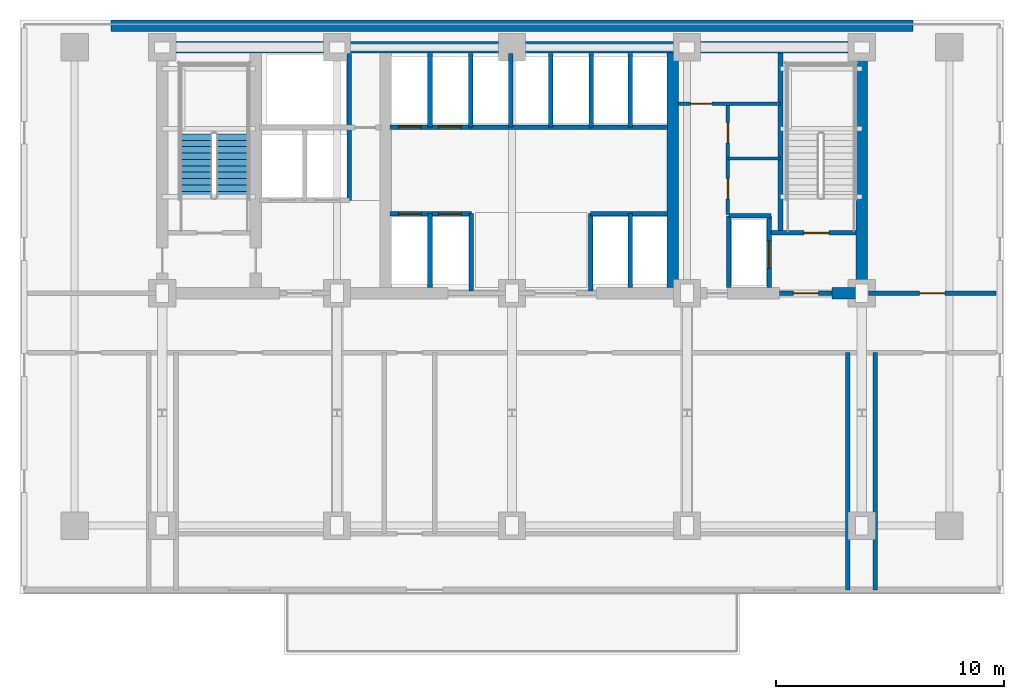
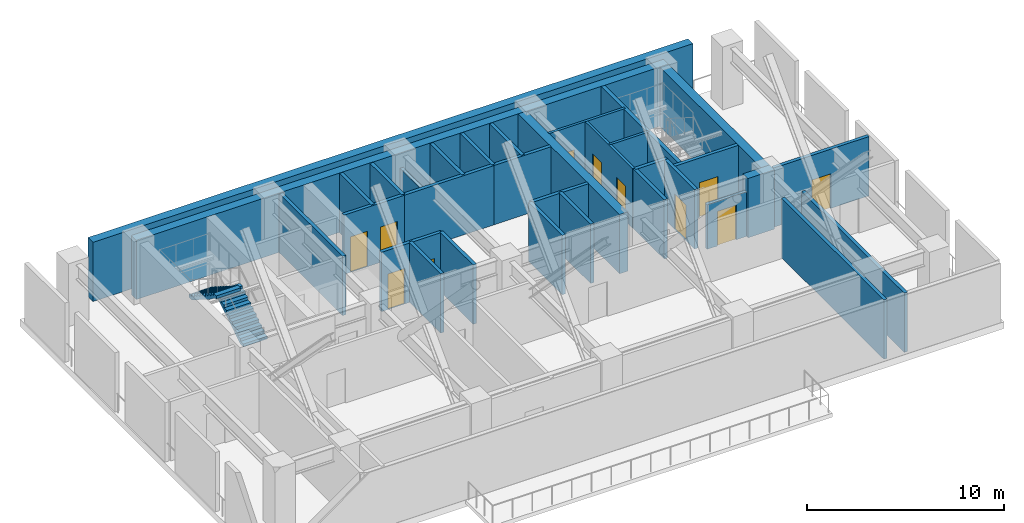
# One storey, part 3 of 8: 33 walls, 11 doors, 2 stair flights, 11 openings, 1 element without a shape of its own.
"""IFC4 building model written with IfcOpenShell, lengths in metres."""

import ifcopenshell
import ifcopenshell.guid

model = None  # the IFC model being written
_history = None  # IfcOwnerHistory: only IFC2X3 demands one
_inside = {}  # id of a spatial element -> (the spatial element, [elements in it])
_under = {}  # id of a project, library or spatial element -> (it, [spatial elements below it])
_declared = {}  # id of a project -> (the project, [libraries it declares])
_typed = {}  # id of a type object -> (the type object, [elements of that type])
_made_of = {}  # id of a material, layer set ... -> (it, [elements and type objects made of it])


def new_model(schema):
    """Start an empty IFC model of exactly this schema.

    Asked for "IFC4X3", IfcOpenShell would pick the latest addendum, in which some entities
    have other attributes; the version numbers below select the first issue.
    IFC2X3 requires an IfcOwnerHistory on every rooted entity: one is made here for all.
    """
    global model, _history
    if schema == "IFC4X3":
        model = ifcopenshell.file(schema_version=(4, 3, 0, 0))
    else:
        model = ifcopenshell.file(schema=schema)
    _inside.clear()
    _under.clear()
    _declared.clear()
    _typed.clear()
    _made_of.clear()
    _history = None
    if model.schema == "IFC2X3":
        org = make("IfcOrganization", Name="unknown")
        user = make(
            "IfcPersonAndOrganization",
            ThePerson=make("IfcPerson", FamilyName="unknown"),
            TheOrganization=org,
        )
        app = make(
            "IfcApplication",
            ApplicationDeveloper=org,
            Version="unknown",
            ApplicationFullName="unknown",
            ApplicationIdentifier="unknown",
        )
        _history = make(
            "IfcOwnerHistory",
            OwningUser=user,
            OwningApplication=app,
            ChangeAction="ADDED",
            CreationDate=0,
        )
    return model


def make(cls, **values):
    """One entity of the class cls with the attributes given. An attribute that is None is left unset."""
    return model.create_entity(
        cls, **{name: value for name, value in values.items() if value is not None}
    )


def rooted(cls, **values):
    """An entity with a GlobalId (a new one), such as an element, a storey or a relation."""
    return make(cls, GlobalId=ifcopenshell.guid.new(), OwnerHistory=_history, **values)


def si_unit(unit_type, name, prefix=None):
    """IfcSIUnit, for example si_unit("LENGTHUNIT", "METRE", prefix="MILLI")."""
    return make("IfcSIUnit", UnitType=unit_type, Prefix=prefix, Name=name)


def assignment(units):
    """IfcUnitAssignment: the units of a project."""
    return None if units is None else make("IfcUnitAssignment", Units=units)


def point(xyz):
    """IfcCartesianPoint."""
    return None if xyz is None else make("IfcCartesianPoint", Coordinates=xyz)


def direction(xyz):
    """IfcDirection."""
    return None if xyz is None else make("IfcDirection", DirectionRatios=xyz)


def frame(location, z_axis=None, x_axis=None):
    """IfcAxis2Placement3D, a coordinate frame: its origin and axes. An axis left out is left unset."""
    return make(
        "IfcAxis2Placement3D",
        Location=point(location),
        Axis=direction(z_axis),
        RefDirection=direction(x_axis),
    )


def frame_2d(location, x_axis=None):
    """IfcAxis2Placement2D, a coordinate frame in the plane: its origin and x axis."""
    return make(
        "IfcAxis2Placement2D", Location=point(location), RefDirection=direction(x_axis)
    )


def origin():
    """The frame at (0, 0, 0) with its axes left unset."""
    return frame((0.0, 0.0, 0.0))


def place(relative_to, where):
    """IfcLocalPlacement: puts the frame where relative to a parent placement (None: the world)."""
    return make(
        "IfcLocalPlacement", PlacementRelTo=relative_to, RelativePlacement=where
    )


def context(
    kind, dimensions, precision=None, world=None, true_north=None, identifier=None
):
    """IfcGeometricRepresentationContext, for example the 3D "Model" context."""
    return make(
        "IfcGeometricRepresentationContext",
        ContextIdentifier=identifier,
        ContextType=kind,
        CoordinateSpaceDimension=dimensions,
        Precision=precision,
        WorldCoordinateSystem=world,
        TrueNorth=true_north,
    )


def subcontext(parent, identifier, kind, view, scale=None):
    """IfcGeometricRepresentationSubContext, for example "Body" below "Model"."""
    return make(
        "IfcGeometricRepresentationSubContext",
        ContextIdentifier=identifier,
        ContextType=kind,
        ParentContext=parent,
        TargetScale=scale,
        TargetView=view,
    )


def project(units=None, contexts=None):
    """IfcProject with its units and contexts."""
    return rooted(
        "IfcProject",
        Name="project",
        RepresentationContexts=contexts,
        UnitsInContext=assignment(units),
    )


def spatial(cls, under=None, at=None, **own):
    """A site, building, storey or space (cls), placed at a placement, below another one or the project."""
    s = rooted(cls, ObjectPlacement=at, **own)
    if under is not None:
        _under.setdefault(under.id(), (under, []))[1].append(s)
    return s


def polyline(points):
    """IfcPolyline through the points."""
    return make("IfcPolyline", Points=[point(p) for p in points])


def profile(cls, at=None, kind="AREA", **sizes):
    """A parametric profile (cls). Its sizes go by their IFC names, for example OverallWidth=200.0."""
    return make(cls, ProfileType=kind, Position=at, **sizes)


def rectangle(**sizes):
    """IfcRectangleProfileDef."""
    return profile("IfcRectangleProfileDef", **sizes)


def outline(outer, holes=None, kind="AREA"):
    """IfcArbitraryClosedProfileDef: a profile drawn as a closed curve; with holes, ...WithVoids."""
    if holes is None:
        return make("IfcArbitraryClosedProfileDef", ProfileType=kind, OuterCurve=outer)
    return make(
        "IfcArbitraryProfileDefWithVoids",
        ProfileType=kind,
        OuterCurve=outer,
        InnerCurves=holes,
    )


def extrude(swept, where, along, depth):
    """IfcExtrudedAreaSolid: the profile swept, set in the frame where, extruded along a direction by depth."""
    return make(
        "IfcExtrudedAreaSolid",
        SweptArea=swept,
        Position=where,
        ExtrudedDirection=direction(along),
        Depth=depth,
    )


def shape(context_of_items, identifier, shape_type, items):
    """IfcShapeRepresentation: the items that make up one representation, for example the "Body"."""
    return make(
        "IfcShapeRepresentation",
        ContextOfItems=context_of_items,
        RepresentationIdentifier=identifier,
        RepresentationType=shape_type,
        Items=items,
    )


def material(Name=None, Category=None):
    """IfcMaterial."""
    return make("IfcMaterial", Name=Name, Category=Category)


def layer(
    of_material, thickness, ventilated=None, Name=None, Category=None, Priority=None
):
    """IfcMaterialLayer: one layer of a wall or slab, of a material (None: an air gap)."""
    return make(
        "IfcMaterialLayer",
        Material=of_material,
        LayerThickness=thickness,
        IsVentilated=ventilated,
        Name=Name,
        Category=Category,
        Priority=Priority,
    )


def layer_set(layers, Name=None):
    """IfcMaterialLayerSet."""
    return make("IfcMaterialLayerSet", MaterialLayers=layers, LayerSetName=Name)


def made_of(thing, what):
    """Note that an element or type object is made of a material, layer set ...; save() writes the relation."""
    if what is not None:
        _made_of.setdefault(what.id(), (what, []))[1].append(thing)
    return thing


def type_object(cls, material=None, **own):
    """A type object (cls), such as IfcWallType, which elements share."""
    return made_of(rooted(cls, **own), material)


def element(
    cls,
    number,
    at=None,
    inside=None,
    cuts=None,
    type_object=None,
    material=None,
    context=None,
    identifier="Body",
    shape_type=None,
    held_by="IfcProductDefinitionShape",
    body=None,
    shapes=None,
    **own,
):
    """One element of the class cls, such as IfcWall. Its Tag is "e" and its number.

    at: its placement. inside: the storey or other place that contains it. cuts: it is an
    opening in that element (IfcRelVoidsElement). A single representation is given by context,
    identifier, shape_type and body (its items); several are given by shapes. held_by: the class
    of the entity that holds the representations. save() writes the other relations.
    """
    e = rooted(cls, Tag="e%d" % number, ObjectPlacement=at, **own)
    if body is not None:
        shapes = [shape(context, identifier, shape_type, body)]
    if shapes is not None:
        e.Representation = make(held_by, Representations=shapes)
    if inside is not None:
        _inside.setdefault(inside.id(), (inside, []))[1].append(e)
    if cuts is not None:
        rooted(
            "IfcRelVoidsElement", RelatingBuildingElement=cuts, RelatedOpeningElement=e
        )
    if type_object is not None:
        _typed.setdefault(type_object.id(), (type_object, []))[1].append(e)
    return made_of(e, material)


def fill(opening, filler):
    """IfcRelFillsElement: the door or window that sits in an opening."""
    return rooted(
        "IfcRelFillsElement",
        RelatingOpeningElement=opening,
        RelatedBuildingElement=filler,
    )


def aggregate(whole, parts):
    """IfcRelAggregates: a whole, such as a stair, and the parts it consists of."""
    return rooted("IfcRelAggregates", RelatingObject=whole, RelatedObjects=parts)


def save(model, path):
    """Write the relations noted so far, then the file.

    IfcRelAggregates (storeys below a building ...), IfcRelContainedInSpatialStructure (elements
    in a storey), IfcRelDefinesByType, IfcRelAssociatesMaterial and IfcRelDeclares: one each for
    every whole, place, type object, material and project.
    """
    for whole, parts in _under.values():
        aggregate(whole, parts)
    for where, things in _inside.values():
        rooted(
            "IfcRelContainedInSpatialStructure",
            RelatedElements=things,
            RelatingStructure=where,
        )
    for kind, things in _typed.values():
        rooted("IfcRelDefinesByType", RelatedObjects=things, RelatingType=kind)
    for what, things in _made_of.values():
        rooted("IfcRelAssociatesMaterial", RelatedObjects=things, RelatingMaterial=what)
    for by, libraries in _declared.values():
        rooted("IfcRelDeclares", RelatingContext=by, RelatedDefinitions=libraries)
    model.write(path)


model = new_model("IFC4")

# Units and contexts
model_context = context("Model", 3, precision=1e-05, world=origin(), true_north=direction((0.0, 1.0)))
body_context = subcontext(model_context, "Body", "Model", "MODEL_VIEW")
ifc_project = project(units=[si_unit("LENGTHUNIT", "METRE"), si_unit("AREAUNIT", "SQUARE_METRE"), si_unit("VOLUMEUNIT", "CUBIC_METRE"), si_unit("PLANEANGLEUNIT", "RADIAN"), si_unit("MASSUNIT", "GRAM", prefix="KILO")], contexts=[model_context])

# Site, building, storey
site_placement = place(None, origin())
site = spatial("IfcSite", under=ifc_project, at=site_placement, CompositionType="ELEMENT")
building_placement = place(site_placement, origin())
building = spatial("IfcBuilding", under=site, at=building_placement, Name="Yelkora Congress Tower", CompositionType="ELEMENT")
storey_placement = place(building_placement, frame((0.0, 0.0, 78.0)))
storey = spatial("IfcBuildingStorey", under=building, at=storey_placement, Name="L20", CompositionType="ELEMENT", Elevation=78.0)

# Walls
ifc_material_1 = material(Name="Concrete C60/75", Category="concrete")
ifc_layer_1 = layer(ifc_material_1, 0.5)
ifc_layer_set_1 = layer_set([ifc_layer_1], Name="Concrete C60/75")
wall_type_1 = type_object("IfcWallType", Name="WALL-CORE-EXT-500", PredefinedType="SHEAR", material=ifc_layer_set_1)
wall_1_placement = place(storey_placement, frame((20.800048828125, 47.14990234375, 0.0), z_axis=(0.0, 0.0, 1.0), x_axis=(1.0, 0.0, 0.0)))
element("IfcWall", 1, at=wall_1_placement, inside=storey, type_object=wall_type_1, Name="L20 Exterior North Core Shear Wall", PredefinedType="SHEAR", context=body_context, shape_type="SweptSolid", body=[
    extrude(rectangle(XDim=35.199951171875, YDim=0.5, at=frame_2d((17.60009765625, 0.0))), origin(), (0.0, 0.0, 1.0), 3.679931640625),
])
ifc_material_2 = material(Name="Concrete C50/60", Category="concrete")
ifc_layer_2 = layer(ifc_material_2, 0.219970703125)
ifc_layer_set_2 = layer_set([ifc_layer_2], Name="Concrete C50/60")
wall_type_2 = type_object("IfcWallType", Name="WALL-CORE-INT-220", PredefinedType="SHEAR", material=ifc_layer_set_2)
wall_2_placement = place(storey_placement, frame((50.179931640625, 38.050048828125, 0.0), z_axis=(0.0, 0.0, 1.0), x_axis=(0.0, 1.0, 0.0)))
element("IfcWall", 2, at=wall_2_placement, inside=storey, type_object=wall_type_2, Name="L20 ST02 West Stair Shear Wall", PredefinedType="SHEAR", context=body_context, shape_type="SweptSolid", body=[
    extrude(rectangle(XDim=7.89990234375, YDim=0.219970703125, at=frame_2d((3.949951171875, 0.0))), origin(), (0.0, 0.0, 1.0), 3.679931640625),
])
ifc_layer_3 = layer(ifc_material_1, 0.5)
ifc_layer_set_3 = layer_set([ifc_layer_3], Name="Concrete C60/75")
wall_type_3 = type_object("IfcWallType", Name="WALL-CORE-INT-500", PredefinedType="SHEAR", material=ifc_layer_set_3)
wall_3_placement = place(storey_placement, frame((22.7900390625, 46.199951171875, 0.0), z_axis=(0.0, 0.0, 1.0), x_axis=(1.0, 0.0, 0.0)))
element("IfcWall", 3, at=wall_3_placement, inside=storey, type_object=wall_type_3, Name="L20 Rear Core North Shear Wall", PredefinedType="SHEAR", context=body_context, shape_type="SweptSolid", body=[
    extrude(rectangle(XDim=31.219970703125, YDim=0.5, at=frame_2d((15.60986328125, 0.0))), origin(), (0.0, 0.0, 1.0), 3.679931640625),
])
wall_4_placement = place(storey_placement, frame((52.449951171875, 35.39990234375, 0.0), z_axis=(0.0, 0.0, 1.0), x_axis=(1.0, 0.0, 0.0)))
element("IfcWall", 4, at=wall_4_placement, inside=storey, type_object=wall_type_3, Name="L20 Rear Core South-East Shear Wall B", PredefinedType="SHEAR", context=body_context, shape_type="SweptSolid", body=[
    extrude(rectangle(XDim=1.56005859375, YDim=0.5, at=frame_2d((0.780029296875, 0.0))), origin(), (0.0, 0.0, 1.0), 3.679931640625),
])
for number, where, z_axis, x_axis, name in (
    (5, (45.449951171875, 35.64990234375, 0.0), (0.0, 0.0, 1.0), (0.0, 1.0, 0.0), "L20 Rear Core Cross Shear Wall C3"),
    (6, (53.760009765625, 35.64990234375, 0.0), (0.0, 0.0, 1.0), (0.0, 1.0, 0.0), "L20 Rear Core Cross Shear Wall E"),
):
    element("IfcWall", number, at=place(storey_placement, frame(where, z_axis=z_axis, x_axis=x_axis)), inside=storey, type_object=wall_type_3, Name=name, PredefinedType="SHEAR", context=body_context, shape_type="SweptSolid", body=[
        extrude(rectangle(XDim=10.300048828125, YDim=0.5, at=frame_2d((5.14990234375, 0.0))), origin(), (0.0, 0.0, 1.0), 3.679931640625),
    ])

# Wall, opening, door
ifc_material_3 = material(Name="Acoustic metal-stud gypsum partition", Category="gypsum")
ifc_layer_4 = layer(ifc_material_3, 0.14990234375)
ifc_layer_set_4 = layer_set([ifc_layer_4], Name="Acoustic metal-stud gypsum partition")
wall_type_4 = type_object("IfcWallType", Name="WALL-INT-150-NR", PredefinedType="PARTITIONING", material=ifc_layer_set_4)
wall_5_placement = place(storey_placement, frame((45.679931640625, 43.719970703125, 0.0), z_axis=(0.0, 0.0, 1.0), x_axis=(1.0, 0.0, 0.0)))
wall_5 = element("IfcWall", 7, at=wall_5_placement, inside=storey, type_object=wall_type_4, Name="L20 Partition Wall 28", PredefinedType="PARTITIONING", context=body_context, shape_type="SweptSolid", body=[
    extrude(rectangle(XDim=4.5, YDim=0.14990234375, at=frame_2d((2.25, 0.0))), origin(), (0.0, 0.0, 1.0), 3.679931640625),
])
opening_1_placement = place(wall_5_placement, frame((0.550048828125, 0.0, 0.0)))
opening_1 = element("IfcOpeningElement", 8, at=opening_1_placement, cuts=wall_5, Name="Opening DR-095N", PredefinedType="OPENING", context=body_context, shape_type="SweptSolid", body=[
    extrude(rectangle(XDim=0.949951171875, YDim=2.14990234375, at=frame_2d((0.47509765625, 1.074951171875))), frame((0.0, 0.0849609375, 0.0), z_axis=(0.0, -1.0, 0.0), x_axis=(1.0, 0.0, 0.0)), (0.0, 0.0, 1.0), 0.169921875),
])
ifc_material_4 = material(Name="Acoustic laminated timber office door", Category="wood")
door_type_1 = type_object("IfcDoorType", Name="DOOR-INT-950", OperationType="NOTDEFINED", PredefinedType="DOOR", material=ifc_material_4)
door_1_placement = place(opening_1_placement, origin())
door_1 = element("IfcDoor", 9, at=door_1_placement, inside=storey, type_object=door_type_1, Name="L20 Accessible WC Door", OperationType="SINGLE_SWING_RIGHT", OverallHeight=2.14990234375, OverallWidth=0.949951171875, PredefinedType="DOOR", context=body_context, shape_type="SweptSolid", body=[
    extrude(rectangle(XDim=0.949951171875, YDim=2.14990234375, at=frame_2d((0.47509765625, 1.074951171875))), frame((0.0, 0.02490234375, 0.0), z_axis=(0.0, -1.0, 0.0), x_axis=(1.0, 0.0, 0.0)), (0.0, 0.0, 1.0), 0.050048828125),
])
fill(opening_1, door_1)

# Wall
wall_6_placement = place(storey_placement, frame((47.8798828125, 41.320068359375, 0.0), z_axis=(0.0, 0.0, 1.0), x_axis=(1.0, 0.0, 0.0)))
element("IfcWall", 10, at=wall_6_placement, inside=storey, type_object=wall_type_4, Name="L20 Partition Wall 29", PredefinedType="PARTITIONING", context=body_context, shape_type="SweptSolid", body=[
    extrude(rectangle(XDim=2.300048828125, YDim=0.14990234375, at=frame_2d((1.14990234375, 0.0))), origin(), (0.0, 0.0, 1.0), 3.679931640625),
])

# Wall, openings, doors
wall_7_placement = place(storey_placement, frame((47.8798828125, 38.85009765625, 0.0), z_axis=(0.0, 0.0, 1.0), x_axis=(0.0, 1.0, 0.0)))
wall_7 = element("IfcWall", 11, at=wall_7_placement, inside=storey, type_object=wall_type_4, Name="L20 Partition Wall 30", PredefinedType="PARTITIONING", context=body_context, shape_type="SweptSolid", body=[
    extrude(rectangle(XDim=4.869873046875, YDim=0.14990234375, at=frame_2d((2.43505859375, 0.0))), origin(), (0.0, 0.0, 1.0), 3.679931640625),
])
opening_2_placement = place(wall_7_placement, frame((0.699951171875, 0.0, 0.0)))
opening_2 = element("IfcOpeningElement", 12, at=opening_2_placement, cuts=wall_7, Name="Opening DR-090N", PredefinedType="OPENING", context=body_context, shape_type="SweptSolid", body=[
    extrude(rectangle(XDim=0.89990234375, YDim=2.14990234375, at=frame_2d((0.449951171875, 1.074951171875))), frame((0.0, 0.0849609375, 0.0), z_axis=(0.0, -1.0, 0.0), x_axis=(1.0, 0.0, 0.0)), (0.0, 0.0, 1.0), 0.169921875),
])
opening_3_placement = place(wall_7_placement, frame((3.14990234375, 0.0, 0.0)))
opening_3 = element("IfcOpeningElement", 13, at=opening_3_placement, cuts=wall_7, Name="Opening DR-090N", PredefinedType="OPENING", context=body_context, shape_type="SweptSolid", body=[
    extrude(rectangle(XDim=0.89990234375, YDim=2.14990234375, at=frame_2d((0.449951171875, 1.074951171875))), frame((0.0, 0.0849609375, 0.0), z_axis=(0.0, -1.0, 0.0), x_axis=(1.0, 0.0, 0.0)), (0.0, 0.0, 1.0), 0.169921875),
])
ifc_material_5 = material(Name="Moisture-resistant laminate door leaf", Category="wood")
door_type_2 = type_object("IfcDoorType", Name="DOOR-INT-900", OperationType="NOTDEFINED", PredefinedType="DOOR", material=ifc_material_5)
door_2_placement = place(opening_2_placement, origin())
door_2 = element("IfcDoor", 14, at=door_2_placement, inside=storey, type_object=door_type_2, Name="L20 Male WC Door", OperationType="SINGLE_SWING_LEFT", OverallHeight=2.14990234375, OverallWidth=0.89990234375, PredefinedType="DOOR", context=body_context, shape_type="SweptSolid", body=[
    extrude(rectangle(XDim=0.89990234375, YDim=2.14990234375, at=frame_2d((0.449951171875, 1.074951171875))), frame((0.0, 0.02490234375, 0.0), z_axis=(0.0, -1.0, 0.0), x_axis=(1.0, 0.0, 0.0)), (0.0, 0.0, 1.0), 0.050048828125),
])
fill(opening_2, door_2)
door_3_placement = place(opening_3_placement, origin())
door_3 = element("IfcDoor", 15, at=door_3_placement, inside=storey, type_object=door_type_2, Name="L20 Female WC Door", OperationType="SINGLE_SWING_RIGHT", OverallHeight=2.14990234375, OverallWidth=0.89990234375, PredefinedType="DOOR", context=body_context, shape_type="SweptSolid", body=[
    extrude(rectangle(XDim=0.89990234375, YDim=2.14990234375, at=frame_2d((0.449951171875, 1.074951171875))), frame((0.0, 0.02490234375, 0.0), z_axis=(0.0, -1.0, 0.0), x_axis=(1.0, 0.0, 0.0)), (0.0, 0.0, 1.0), 0.050048828125),
])
fill(opening_3, door_3)

# Walls
ifc_material_6 = material(Name="Autoclaved aerated concrete blockwork", Category="masonry")
ifc_layer_5 = layer(ifc_material_6, 0.199951171875)
ifc_layer_set_5 = layer_set([ifc_layer_5], Name="Autoclaved aerated concrete blockwork")
wall_type_5 = type_object("IfcWallType", Name="WALL-INT-200-R120", PredefinedType="PARTITIONING", material=ifc_layer_set_5)
wall_8_placement = place(storey_placement, frame((31.260009765625, 39.47998046875, 0.0), z_axis=(0.0, 0.0, 1.0), x_axis=(0.0, 1.0, 0.0)))
element("IfcWall", 16, at=wall_8_placement, inside=storey, type_object=wall_type_5, Name="L20 Partition Wall 5", PredefinedType="PARTITIONING", context=body_context, shape_type="SweptSolid", body=[
    extrude(rectangle(XDim=6.43994140625, YDim=0.199951171875, at=frame_2d((3.219970703125, 0.0))), origin(), (0.0, 0.0, 1.0), 3.679931640625),
])
wall_9_placement = place(storey_placement, frame((36.60009765625, 42.699951171875, 0.0), z_axis=(0.0, 0.0, 1.0), x_axis=(1.0, 0.0, 0.0)))
element("IfcWall", 17, at=wall_9_placement, inside=storey, type_object=wall_type_5, Name="L20 Partition Wall 8", PredefinedType="PARTITIONING", context=body_context, shape_type="SweptSolid", body=[
    extrude(rectangle(XDim=5.25, YDim=0.199951171875, at=frame_2d((2.625, 0.0))), origin(), (0.0, 0.0, 1.0), 3.679931640625),
])
wall_10_placement = place(storey_placement, frame((38.35009765625, 42.699951171875, 0.0), z_axis=(0.0, 0.0, 1.0), x_axis=(0.0, 1.0, 0.0)))
element("IfcWall", 18, at=wall_10_placement, inside=storey, type_object=wall_type_5, Name="L20 Partition Wall 9", PredefinedType="PARTITIONING", context=body_context, shape_type="SweptSolid", body=[
    extrude(rectangle(XDim=3.219970703125, YDim=0.199951171875, at=frame_2d((1.60986328125, 0.0))), origin(), (0.0, 0.0, 1.0), 2.764892578125),
])
wall_11_placement = place(storey_placement, frame((40.10009765625, 42.699951171875, 0.0), z_axis=(0.0, 0.0, 1.0), x_axis=(0.0, 1.0, 0.0)))
element("IfcWall", 19, at=wall_11_placement, inside=storey, type_object=wall_type_5, Name="L20 Partition Wall 10", PredefinedType="PARTITIONING", context=body_context, shape_type="SweptSolid", body=[
    extrude(rectangle(XDim=3.219970703125, YDim=0.199951171875, at=frame_2d((1.60986328125, 0.0))), origin(), (0.0, 0.0, 1.0), 3.679931640625),
])

# Wall, openings, doors
wall_12_placement = place(storey_placement, frame((33.050048828125, 38.89990234375, 0.0), z_axis=(0.0, 0.0, 1.0), x_axis=(1.0, 0.0, 0.0)))
wall_12 = element("IfcWall", 20, at=wall_12_placement, inside=storey, type_object=wall_type_5, Name="L20 Partition Wall 11", PredefinedType="PARTITIONING", context=body_context, shape_type="SweptSolid", body=[
    extrude(rectangle(XDim=3.570068359375, YDim=0.199951171875, at=frame_2d((1.78515625, 0.0))), origin(), (0.0, 0.0, 1.0), 3.679931640625),
])
opening_4_placement = place(wall_12_placement, frame((0.375, 0.0, 0.0)))
opening_4 = element("IfcOpeningElement", 21, at=opening_4_placement, cuts=wall_12, Name="Opening LD-PS10", PredefinedType="OPENING", context=body_context, shape_type="SweptSolid", body=[
    extrude(rectangle(XDim=1.0, YDim=2.199951171875, at=frame_2d((0.5, 1.10009765625))), frame((0.0, 0.10986328125, 0.0), z_axis=(0.0, -1.0, 0.0), x_axis=(1.0, 0.0, 0.0)), (0.0, 0.0, 1.0), 0.219970703125),
])
opening_5_placement = place(wall_12_placement, frame((2.125, 0.0, 0.0)))
opening_5 = element("IfcOpeningElement", 22, at=opening_5_placement, cuts=wall_12, Name="Opening LD-PS10", PredefinedType="OPENING", context=body_context, shape_type="SweptSolid", body=[
    extrude(rectangle(XDim=1.0, YDim=2.199951171875, at=frame_2d((0.5, 1.10009765625))), frame((0.0, 0.10986328125, 0.0), z_axis=(0.0, -1.0, 0.0), x_axis=(1.0, 0.0, 0.0)), (0.0, 0.0, 1.0), 0.219970703125),
])
ifc_material_7 = material(Name="Champagne stainless steel landing door", Category="steel")
door_type_3 = type_object("IfcDoorType", Name="DOOR-LIFT-PAS-1000", OperationType="DOUBLE_DOOR_SLIDING", PredefinedType="DOOR", material=ifc_material_7)
door_4_placement = place(opening_4_placement, origin())
door_4 = element("IfcDoor", 23, at=door_4_placement, inside=storey, type_object=door_type_3, Name="Lift Landing Door LF-P1 L20", OperationType="DOUBLE_DOOR_SLIDING", OverallHeight=2.199951171875, OverallWidth=1.0, PredefinedType="DOOR", context=body_context, shape_type="SweptSolid", body=[
    extrude(rectangle(XDim=1.0, YDim=2.199951171875, at=frame_2d((0.5, 1.10009765625))), frame((0.0, 0.02490234375, 0.0), z_axis=(0.0, -1.0, 0.0), x_axis=(1.0, 0.0, 0.0)), (0.0, 0.0, 1.0), 0.050048828125),
])
fill(opening_4, door_4)
door_5_placement = place(opening_5_placement, origin())
door_5 = element("IfcDoor", 24, at=door_5_placement, inside=storey, type_object=door_type_3, Name="Lift Landing Door LF-P2 L20", OperationType="DOUBLE_DOOR_SLIDING", OverallHeight=2.199951171875, OverallWidth=1.0, PredefinedType="DOOR", context=body_context, shape_type="SweptSolid", body=[
    extrude(rectangle(XDim=1.0, YDim=2.199951171875, at=frame_2d((0.5, 1.10009765625))), frame((0.0, 0.02490234375, 0.0), z_axis=(0.0, -1.0, 0.0), x_axis=(1.0, 0.0, 0.0)), (0.0, 0.0, 1.0), 0.050048828125),
])
fill(opening_5, door_5)

wall_13_placement = place(storey_placement, frame((33.050048828125, 42.699951171875, 0.0), z_axis=(0.0, 0.0, 1.0), x_axis=(1.0, 0.0, 0.0)))
wall_13 = element("IfcWall", 25, at=wall_13_placement, inside=storey, type_object=wall_type_5, Name="L20 Partition Wall 12", PredefinedType="PARTITIONING", context=body_context, shape_type="SweptSolid", body=[
    extrude(rectangle(XDim=3.570068359375, YDim=0.199951171875, at=frame_2d((1.78515625, 0.0))), origin(), (0.0, 0.0, 1.0), 3.679931640625),
])
opening_6_placement = place(wall_13_placement, frame((0.375, 0.0, 0.0)))
opening_6 = element("IfcOpeningElement", 26, at=opening_6_placement, cuts=wall_13, Name="Opening LD-PS10", PredefinedType="OPENING", context=body_context, shape_type="SweptSolid", body=[
    extrude(rectangle(XDim=1.0, YDim=2.199951171875, at=frame_2d((0.5, 1.10009765625))), frame((0.0, 0.10986328125, 0.0), z_axis=(0.0, -1.0, 0.0), x_axis=(1.0, 0.0, 0.0)), (0.0, 0.0, 1.0), 0.219970703125),
])
opening_7_placement = place(wall_13_placement, frame((2.125, 0.0, 0.0)))
opening_7 = element("IfcOpeningElement", 27, at=opening_7_placement, cuts=wall_13, Name="Opening LD-PS10", PredefinedType="OPENING", context=body_context, shape_type="SweptSolid", body=[
    extrude(rectangle(XDim=1.0, YDim=2.199951171875, at=frame_2d((0.5, 1.10009765625))), frame((0.0, 0.10986328125, 0.0), z_axis=(0.0, -1.0, 0.0), x_axis=(1.0, 0.0, 0.0)), (0.0, 0.0, 1.0), 0.219970703125),
])
door_6_placement = place(opening_6_placement, origin())
door_6 = element("IfcDoor", 28, at=door_6_placement, inside=storey, type_object=door_type_3, Name="Lift Landing Door LF-P3 L20", OperationType="DOUBLE_DOOR_SLIDING", OverallHeight=2.199951171875, OverallWidth=1.0, PredefinedType="DOOR", context=body_context, shape_type="SweptSolid", body=[
    extrude(rectangle(XDim=1.0, YDim=2.199951171875, at=frame_2d((0.5, 1.10009765625))), frame((0.0, 0.02490234375, 0.0), z_axis=(0.0, -1.0, 0.0), x_axis=(1.0, 0.0, 0.0)), (0.0, 0.0, 1.0), 0.050048828125),
])
fill(opening_6, door_6)
door_7_placement = place(opening_7_placement, origin())
door_7 = element("IfcDoor", 29, at=door_7_placement, inside=storey, type_object=door_type_3, Name="Lift Landing Door LF-P4 L20", OperationType="DOUBLE_DOOR_SLIDING", OverallHeight=2.199951171875, OverallWidth=1.0, PredefinedType="DOOR", context=body_context, shape_type="SweptSolid", body=[
    extrude(rectangle(XDim=1.0, YDim=2.199951171875, at=frame_2d((0.5, 1.10009765625))), frame((0.0, 0.02490234375, 0.0), z_axis=(0.0, -1.0, 0.0), x_axis=(1.0, 0.0, 0.0)), (0.0, 0.0, 1.0), 0.050048828125),
])
fill(opening_7, door_7)

# Walls
wall_14_placement = place(storey_placement, frame((34.800048828125, 35.64990234375, 0.0), z_axis=(0.0, 0.0, 1.0), x_axis=(0.0, 1.0, 0.0)))
element("IfcWall", 30, at=wall_14_placement, inside=storey, type_object=wall_type_5, Name="L20 Partition Wall 13", PredefinedType="PARTITIONING", context=body_context, shape_type="SweptSolid", body=[
    extrude(rectangle(XDim=3.25, YDim=0.199951171875, at=frame_2d((1.625, 0.0))), origin(), (0.0, 0.0, 1.0), 3.679931640625),
])
wall_15_placement = place(storey_placement, frame((34.800048828125, 42.699951171875, 0.0), z_axis=(0.0, 0.0, 1.0), x_axis=(0.0, 1.0, 0.0)))
element("IfcWall", 31, at=wall_15_placement, inside=storey, type_object=wall_type_5, Name="L20 Partition Wall 14", PredefinedType="PARTITIONING", context=body_context, shape_type="SweptSolid", body=[
    extrude(rectangle(XDim=3.219970703125, YDim=0.199951171875, at=frame_2d((1.60986328125, 0.0))), origin(), (0.0, 0.0, 1.0), 3.679931640625),
])
wall_16_placement = place(storey_placement, frame((36.6201171875, 35.5, 0.0), z_axis=(0.0, 0.0, 1.0), x_axis=(0.0, 1.0, 0.0)))
element("IfcWall", 32, at=wall_16_placement, inside=storey, type_object=wall_type_5, Name="L20 Partition Wall 15", PredefinedType="PARTITIONING", context=body_context, shape_type="SweptSolid", body=[
    extrude(rectangle(XDim=3.39990234375, YDim=0.199951171875, at=frame_2d((1.699951171875, 0.0))), origin(), (0.0, 0.0, 1.0), 3.679931640625),
])
wall_17_placement = place(storey_placement, frame((36.580078125, 42.699951171875, 0.0), z_axis=(0.0, 0.0, 1.0), x_axis=(0.0, 1.0, 0.0)))
element("IfcWall", 33, at=wall_17_placement, inside=storey, type_object=wall_type_5, Name="L20 Partition Wall 16", PredefinedType="PARTITIONING", context=body_context, shape_type="SweptSolid", body=[
    extrude(rectangle(XDim=3.219970703125, YDim=0.199951171875, at=frame_2d((1.60986328125, 0.0))), origin(), (0.0, 0.0, 1.0), 3.679931640625),
])
for number, where, z_axis, x_axis, name in (
    (34, (41.85009765625, 38.89990234375, 0.0), (0.0, 0.0, 1.0), (1.0, 0.0, 0.0), "L20 Partition Wall 17"),
    (35, (41.85009765625, 42.699951171875, 0.0), (0.0, 0.0, 1.0), (1.0, 0.0, 0.0), "L20 Partition Wall 18"),
):
    element("IfcWall", number, at=place(storey_placement, frame(where, z_axis=z_axis, x_axis=x_axis)), inside=storey, type_object=wall_type_5, Name=name, PredefinedType="PARTITIONING", context=body_context, shape_type="SweptSolid", body=[
        extrude(rectangle(XDim=3.369873046875, YDim=0.199951171875, at=frame_2d((1.68505859375, 0.0))), origin(), (0.0, 0.0, 1.0), 3.679931640625),
    ])
wall_18_placement = place(storey_placement, frame((43.60009765625, 35.64990234375, 0.0), z_axis=(0.0, 0.0, 1.0), x_axis=(0.0, 1.0, 0.0)))
element("IfcWall", 36, at=wall_18_placement, inside=storey, type_object=wall_type_5, Name="L20 Partition Wall 19", PredefinedType="PARTITIONING", context=body_context, shape_type="SweptSolid", body=[
    extrude(rectangle(XDim=3.25, YDim=0.199951171875, at=frame_2d((1.625, 0.0))), origin(), (0.0, 0.0, 1.0), 3.679931640625),
])
wall_19_placement = place(storey_placement, frame((43.60009765625, 42.699951171875, 0.0), z_axis=(0.0, 0.0, 1.0), x_axis=(0.0, 1.0, 0.0)))
element("IfcWall", 37, at=wall_19_placement, inside=storey, type_object=wall_type_5, Name="L20 Partition Wall 20", PredefinedType="PARTITIONING", context=body_context, shape_type="SweptSolid", body=[
    extrude(rectangle(XDim=3.219970703125, YDim=0.199951171875, at=frame_2d((1.60986328125, 0.0))), origin(), (0.0, 0.0, 1.0), 3.679931640625),
])
wall_20_placement = place(storey_placement, frame((41.85009765625, 35.5, 0.0), z_axis=(0.0, 0.0, 1.0), x_axis=(0.0, 1.0, 0.0)))
element("IfcWall", 38, at=wall_20_placement, inside=storey, type_object=wall_type_5, Name="L20 Partition Wall 21", PredefinedType="PARTITIONING", context=body_context, shape_type="SweptSolid", body=[
    extrude(rectangle(XDim=3.39990234375, YDim=0.199951171875, at=frame_2d((1.699951171875, 0.0))), origin(), (0.0, 0.0, 1.0), 3.679931640625),
])
wall_21_placement = place(storey_placement, frame((41.8798828125, 42.699951171875, 0.0), z_axis=(0.0, 0.0, 1.0), x_axis=(0.0, 1.0, 0.0)))
element("IfcWall", 39, at=wall_21_placement, inside=storey, type_object=wall_type_5, Name="L20 Partition Wall 22", PredefinedType="PARTITIONING", context=body_context, shape_type="SweptSolid", body=[
    extrude(rectangle(XDim=3.219970703125, YDim=0.199951171875, at=frame_2d((1.60986328125, 0.0))), origin(), (0.0, 0.0, 1.0), 3.679931640625),
])

# Wall, opening, door
wall_22_placement = place(storey_placement, frame((49.780029296875, 38.050048828125, 0.0), z_axis=(0.0, 0.0, 1.0), x_axis=(1.0, 0.0, 0.0)))
wall_22 = element("IfcWall", 40, at=wall_22_placement, inside=storey, type_object=wall_type_5, Name="L20 Stair ST-02 Enclosure Wall", PredefinedType="PARTITIONING", context=body_context, shape_type="SweptSolid", body=[
    extrude(rectangle(XDim=3.719970703125, YDim=0.199951171875, at=frame_2d((1.85986328125, 0.0))), origin(), (0.0, 0.0, 1.0), 3.679931640625),
])
opening_8_placement = place(wall_22_placement, frame((1.436279296875, 0.0, 0.0)))
opening_8 = element("IfcOpeningElement", 41, at=opening_8_placement, cuts=wall_22, Name="Opening DR-110F9", PredefinedType="OPENING", context=body_context, shape_type="SweptSolid", body=[
    extrude(rectangle(XDim=1.10009765625, YDim=2.14990234375, at=frame_2d((0.550048828125, 1.074951171875))), frame((0.0, 0.10986328125, 0.0), z_axis=(0.0, -1.0, 0.0), x_axis=(1.0, 0.0, 0.0)), (0.0, 0.0, 1.0), 0.219970703125),
])
ifc_material_8 = material(Name="Galvanised steel fire door leaf", Category="steel")
door_type_4 = type_object("IfcDoorType", Name="DOOR-FD90-1100", OperationType="NOTDEFINED", PredefinedType="DOOR", material=ifc_material_8)
door_8_placement = place(opening_8_placement, origin())
door_8 = element("IfcDoor", 42, at=door_8_placement, inside=storey, type_object=door_type_4, Name="L20 Stair ST-02 Entry Door", OperationType="SINGLE_SWING_LEFT", OverallHeight=2.14990234375, OverallWidth=1.10009765625, PredefinedType="DOOR", context=body_context, shape_type="SweptSolid", body=[
    extrude(rectangle(XDim=1.10009765625, YDim=2.14990234375, at=frame_2d((0.550048828125, 1.074951171875))), frame((0.0, 0.02490234375, 0.0), z_axis=(0.0, -1.0, 0.0), x_axis=(1.0, 0.0, 0.0)), (0.0, 0.0, 1.0), 0.050048828125),
])
fill(opening_8, door_8)

wall_23_placement = place(storey_placement, frame((50.14990234375, 35.39990234375, 0.0), z_axis=(0.0, 0.0, 1.0), x_axis=(1.0, 0.0, 0.0)))
wall_23 = element("IfcWall", 43, at=wall_23_placement, inside=storey, type_object=wall_type_5, Name="L20 Partition Wall 24", PredefinedType="PARTITIONING", context=body_context, shape_type="SweptSolid", body=[
    extrude(rectangle(XDim=2.300048828125, YDim=0.199951171875, at=frame_2d((1.14990234375, 0.0))), origin(), (0.0, 0.0, 1.0), 2.764892578125),
])
opening_9_placement = place(wall_23_placement, frame((0.60009765625, 0.0, 0.0)))
opening_9 = element("IfcOpeningElement", 44, at=opening_9_placement, cuts=wall_23, Name="Opening DR-110F9", PredefinedType="OPENING", context=body_context, shape_type="SweptSolid", body=[
    extrude(rectangle(XDim=1.10009765625, YDim=2.14990234375, at=frame_2d((0.550048828125, 1.074951171875))), frame((0.0, 0.10986328125, 0.0), z_axis=(0.0, -1.0, 0.0), x_axis=(1.0, 0.0, 0.0)), (0.0, 0.0, 1.0), 0.219970703125),
])
door_9_placement = place(opening_9_placement, origin())
door_9 = element("IfcDoor", 45, at=door_9_placement, inside=storey, type_object=door_type_4, Name="L20 East Stair Lobby Door", OperationType="SINGLE_SWING_RIGHT", OverallHeight=2.14990234375, OverallWidth=1.10009765625, PredefinedType="DOOR", context=body_context, shape_type="SweptSolid", body=[
    extrude(rectangle(XDim=1.10009765625, YDim=2.14990234375, at=frame_2d((0.550048828125, 1.074951171875))), frame((0.0, 0.02490234375, 0.0), z_axis=(0.0, -1.0, 0.0), x_axis=(1.0, 0.0, 0.0)), (0.0, 0.0, 1.0), 0.050048828125),
])
fill(opening_9, door_9)

wall_24_placement = place(storey_placement, frame((49.699951171875, 35.64990234375, 0.0), z_axis=(0.0, 0.0, 1.0), x_axis=(0.0, 1.0, 0.0)))
wall_24 = element("IfcWall", 46, at=wall_24_placement, inside=storey, type_object=wall_type_5, Name="L20 Partition Wall 25", PredefinedType="PARTITIONING", context=body_context, shape_type="SweptSolid", body=[
    extrude(rectangle(XDim=3.150146484375, YDim=0.199951171875, at=frame_2d((1.5751953125, 0.0))), origin(), (0.0, 0.0, 1.0), 3.679931640625),
])
opening_10_placement = place(wall_24_placement, frame((0.85009765625, 0.0, 0.0)))
opening_10 = element("IfcOpeningElement", 47, at=opening_10_placement, cuts=wall_24, Name="Opening LD-SV12", PredefinedType="OPENING", context=body_context, shape_type="SweptSolid", body=[
    extrude(rectangle(XDim=1.199951171875, YDim=2.199951171875, at=frame_2d((0.60009765625, 1.10009765625))), frame((0.0, 0.10986328125, 0.0), z_axis=(0.0, -1.0, 0.0), x_axis=(1.0, 0.0, 0.0)), (0.0, 0.0, 1.0), 0.219970703125),
])
ifc_material_9 = material(Name="Heavy-duty stainless steel landing door", Category="steel")
door_type_5 = type_object("IfcDoorType", Name="DOOR-LIFT-SRV-1200", OperationType="DOUBLE_DOOR_SLIDING", PredefinedType="DOOR", material=ifc_material_9)
door_10_placement = place(opening_10_placement, origin())
door_10 = element("IfcDoor", 48, at=door_10_placement, inside=storey, type_object=door_type_5, Name="Service Lift Landing Door LF-SV1 L20", OperationType="DOUBLE_DOOR_SLIDING", OverallHeight=2.199951171875, OverallWidth=1.199951171875, PredefinedType="DOOR", context=body_context, shape_type="SweptSolid", body=[
    extrude(rectangle(XDim=1.199951171875, YDim=2.199951171875, at=frame_2d((0.60009765625, 1.10009765625))), frame((0.0, 0.02490234375, 0.0), z_axis=(0.0, -1.0, 0.0), x_axis=(1.0, 0.0, 0.0)), (0.0, 0.0, 1.0), 0.050048828125),
])
fill(opening_10, door_10)

# Walls
wall_25_placement = place(storey_placement, frame((47.919921875, 35.64990234375, 0.0), z_axis=(0.0, 0.0, 1.0), x_axis=(0.0, 1.0, 0.0)))
element("IfcWall", 49, at=wall_25_placement, inside=storey, type_object=wall_type_5, Name="L20 Partition Wall 26", PredefinedType="PARTITIONING", context=body_context, shape_type="SweptSolid", body=[
    extrude(rectangle(XDim=3.150146484375, YDim=0.199951171875, at=frame_2d((1.5751953125, 0.0))), origin(), (0.0, 0.0, 1.0), 3.679931640625),
])
wall_26_placement = place(storey_placement, frame((47.919921875, 38.800048828125, 0.0), z_axis=(0.0, 0.0, 1.0), x_axis=(1.0, 0.0, 0.0)))
element("IfcWall", 50, at=wall_26_placement, inside=storey, type_object=wall_type_5, Name="L20 Partition Wall 27", PredefinedType="PARTITIONING", context=body_context, shape_type="SweptSolid", body=[
    extrude(rectangle(XDim=1.860107421875, YDim=0.199951171875, at=frame_2d((0.93017578125, 0.0))), origin(), (0.0, 0.0, 1.0), 3.679931640625),
])

# Wall, opening, door
wall_27_placement = place(storey_placement, frame((54.050048828125, 35.39990234375, 0.0), z_axis=(0.0, 0.0, 1.0), x_axis=(1.0, 0.0, 0.0)))
wall_27 = element("IfcWall", 51, at=wall_27_placement, inside=storey, type_object=wall_type_5, Name="L20 Partition Wall 32", PredefinedType="PARTITIONING", context=body_context, shape_type="SweptSolid", body=[
    extrude(rectangle(XDim=5.599853515625, YDim=0.199951171875, at=frame_2d((2.7998046875, 0.0))), origin(), (0.0, 0.0, 1.0), 3.679931640625),
])
opening_11_placement = place(wall_27_placement, frame((2.25, 0.0, 0.0)))
opening_11 = element("IfcOpeningElement", 52, at=opening_11_placement, cuts=wall_27, Name="Opening DR-110F9", PredefinedType="OPENING", context=body_context, shape_type="SweptSolid", body=[
    extrude(rectangle(XDim=1.10009765625, YDim=2.14990234375, at=frame_2d((0.550048828125, 1.074951171875))), frame((0.0, 0.10986328125, 0.0), z_axis=(0.0, -1.0, 0.0), x_axis=(1.0, 0.0, 0.0)), (0.0, 0.0, 1.0), 0.219970703125),
])
door_11_placement = place(opening_11_placement, origin())
door_11 = element("IfcDoor", 53, at=door_11_placement, inside=storey, type_object=door_type_4, Name="L20 Interior Door 17", OperationType="SINGLE_SWING_LEFT", OverallHeight=2.14990234375, OverallWidth=1.10009765625, PredefinedType="DOOR", context=body_context, shape_type="SweptSolid", body=[
    extrude(rectangle(XDim=1.10009765625, YDim=2.14990234375, at=frame_2d((0.550048828125, 1.074951171875))), frame((0.0, 0.02490234375, 0.0), z_axis=(0.0, -1.0, 0.0), x_axis=(1.0, 0.0, 0.0)), (0.0, 0.0, 1.0), 0.050048828125),
])
fill(opening_11, door_11)

# Walls
for number, where, z_axis, x_axis, name in (
    (54, (53.14990234375, 22.3798828125, 0.0), (0.0, 0.0, 1.0), (0.0, 1.0, 0.0), "L20 Partition Wall 35"),
    (55, (54.35009765625, 22.3798828125, 0.0), (0.0, 0.0, 1.0), (0.0, 1.0, 0.0), "L20 Partition Wall 36"),
):
    element("IfcWall", number, at=place(storey_placement, frame(where, z_axis=z_axis, x_axis=x_axis)), inside=storey, type_object=wall_type_5, Name=name, PredefinedType="PARTITIONING", context=body_context, shape_type="SweptSolid", body=[
        extrude(rectangle(XDim=10.420166015625, YDim=0.199951171875, at=frame_2d((5.2099609375, 0.0))), origin(), (0.0, 0.0, 1.0), 3.679931640625),
    ])

# Stair, stair flights
ifc_material_10 = material(Name="Concrete C40/50", Category="concrete")
stair_type = type_object("IfcStairType", Name="STAIR-HT-1420-R22-177", PredefinedType="HALF_TURN_STAIR", material=ifc_material_10)
stair_placement = place(storey_placement, origin())
stair = element("IfcStair", 56, at=stair_placement, inside=storey, type_object=stair_type, Name="West Core Protected Exit Stair ST-01 (L20)", PredefinedType="HALF_TURN_STAIR")
stair_flight_type = type_object("IfcStairFlightType", Name="FLIGHT-1420-N11-R177-G280", PredefinedType="STRAIGHT", material=ifc_material_10)
stair_flight_1_placement = place(storey_placement, frame((26.110107421875, 39.60009765625, 0.0), z_axis=(0.0, 0.0, 1.0), x_axis=(0.0, 1.0, 0.0)))
stair_flight_1 = element("IfcStairFlight", 57, at=stair_flight_1_placement, type_object=stair_flight_type, Name="ST-01 L20 Flight 1", NumberOfRisers=11, NumberOfTreads=10, PredefinedType="STRAIGHT", RiserHeight=0.177272727, TreadLength=0.28, context=body_context, shape_type="SweptSolid", body=[
    extrude(outline(polyline([(0.0, 0.0), (0.0, 0.17724609375), (0.280029296875, 0.17724609375), (0.280029296875, 0.3544921875), (0.56005859375, 0.3544921875), (0.56005859375, 0.53173828125), (0.840087890625, 0.53173828125), (0.840087890625, 0.708984375), (1.1201171875, 0.708984375), (1.1201171875, 0.886474609375), (1.39990234375, 0.886474609375), (1.39990234375, 1.063720703125), (1.679931640625, 1.063720703125), (1.679931640625, 1.240966796875), (1.9599609375, 1.240966796875), (1.9599609375, 1.418212890625), (2.239990234375, 1.418212890625), (2.239990234375, 1.595458984375), (2.52001953125, 1.595458984375), (2.52001953125, 1.772705078125), (2.800048828125, 1.772705078125), (2.800048828125, 1.949951171875), (2.800048828125, 1.58349609375), (0.298828125, 0.0), (0.0, 0.0)])), frame((0.0, 0.7099609375, 0.0), z_axis=(0.0, -1.0, 0.0), x_axis=(1.0, 0.0, 0.0)), (0.0, 0.0, 1.0), 1.419921875),
])
stair_flight_2_placement = place(storey_placement, frame((24.530029296875, 42.39990234375, 1.949951171875), z_axis=(0.0, 0.0, 1.0), x_axis=(0.0, -1.0, 0.0)))
stair_flight_2 = element("IfcStairFlight", 58, at=stair_flight_2_placement, type_object=stair_flight_type, Name="ST-01 L20 Flight 2", NumberOfRisers=11, NumberOfTreads=10, PredefinedType="STRAIGHT", RiserHeight=0.177272727, TreadLength=0.28, context=body_context, shape_type="SweptSolid", body=[
    extrude(outline(polyline([(0.0, 0.0), (0.0, 0.17724609375), (0.280029296875, 0.17724609375), (0.280029296875, 0.3544921875), (0.56005859375, 0.3544921875), (0.56005859375, 0.53173828125), (0.840087890625, 0.53173828125), (0.840087890625, 0.708984375), (1.1201171875, 0.708984375), (1.1201171875, 0.886474609375), (1.39990234375, 0.886474609375), (1.39990234375, 1.063720703125), (1.679931640625, 1.063720703125), (1.679931640625, 1.240966796875), (1.9599609375, 1.240966796875), (1.9599609375, 1.418212890625), (2.239990234375, 1.418212890625), (2.239990234375, 1.595458984375), (2.52001953125, 1.595458984375), (2.52001953125, 1.772705078125), (2.800048828125, 1.772705078125), (2.800048828125, 1.949951171875), (2.800048828125, 1.58349609375), (0.298828125, 0.0), (0.0, 0.0)])), frame((0.0, 0.7099609375, 0.0), z_axis=(0.0, -1.0, 0.0), x_axis=(1.0, 0.0, 0.0)), (0.0, 0.0, 1.0), 1.419921875),
])
aggregate(stair, [stair_flight_1, stair_flight_2])

save(model, "model.ifc")
